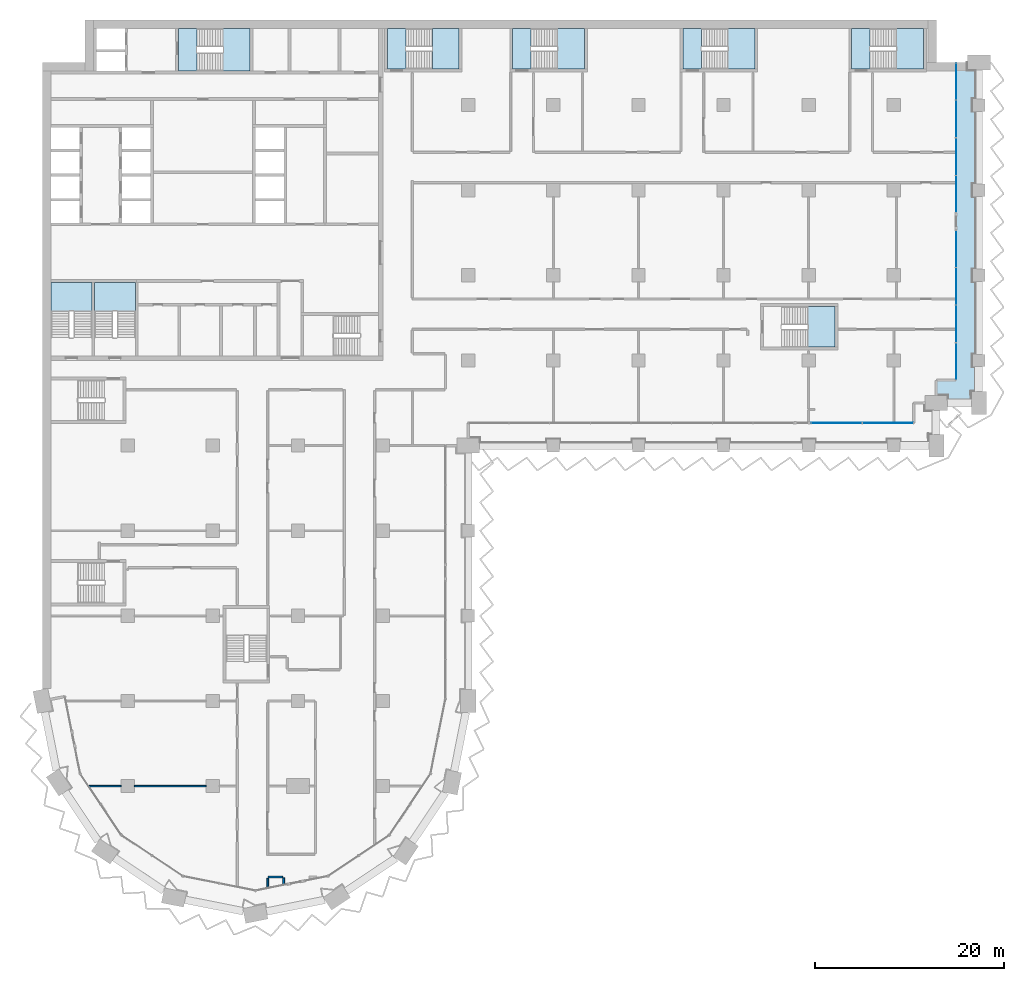
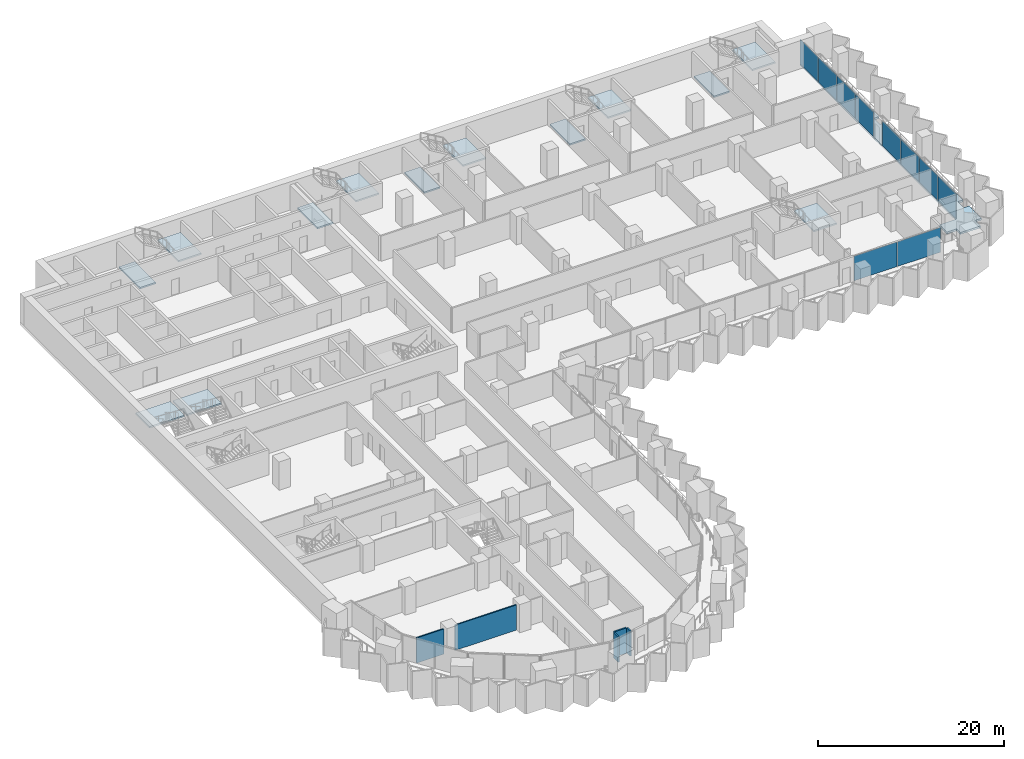
# One storey, part 9 of 28: 14 slabs, 10 plates, 5 walls, 11 elements without a shape of their own.
"""IFC4 building model written with IfcOpenShell, lengths in metres."""

from ifc_helpers import new_model, si_unit, direction, frame, frame_2d, origin, origin_2d, place, context, subcontext, project, spatial, polyline, rectangle, outline, extrude, material, layer, layer_set, type_object, element, aggregate, save


model = new_model("IFC4")

# Units and contexts
model_context = context("Model", 3, precision=1e-05, world=origin(), true_north=direction((0.0, 1.0)))
body_context = subcontext(model_context, "Body", "Model", "MODEL_VIEW")
ifc_project = project(units=[si_unit("LENGTHUNIT", "METRE"), si_unit("AREAUNIT", "SQUARE_METRE"), si_unit("VOLUMEUNIT", "CUBIC_METRE"), si_unit("PLANEANGLEUNIT", "RADIAN"), si_unit("MASSUNIT", "GRAM", prefix="KILO")], contexts=[model_context])

# Site, building, storey
site_placement = place(None, origin())
site = spatial("IfcSite", under=ifc_project, at=site_placement, CompositionType="ELEMENT")
building_placement = place(site_placement, origin())
building = spatial("IfcBuilding", under=site, at=building_placement, Name="Hunhe Ridgeline Campus", CompositionType="ELEMENT")
storey_placement = place(building_placement, frame((0.0, 0.0, 58.0)))
storey = spatial("IfcBuildingStorey", under=building, at=storey_placement, Name="L13", CompositionType="ELEMENT", Elevation=58.0)

# Curtain wall, plates
ifc_material_1 = material(Name="Aluminium 6063", Category="aluminium")
curtain_wall_type = type_object("IfcCurtainWallType", Name="Curtain wall CW-1", PredefinedType="NOTDEFINED", material=ifc_material_1)
curtain_wall_1_placement = place(storey_placement, origin())
curtain_wall_1 = element("IfcCurtainWall", 1, at=curtain_wall_1_placement, inside=storey, type_object=curtain_wall_type, Name="Curtain wall 14", PredefinedType="NOTDEFINED")
ifc_material_2 = material(Name="Low-e laminated glass", Category="glass")
ifc_layer_1 = layer(ifc_material_2, 0.028076171875)
ifc_layer_set_1 = layer_set([ifc_layer_1], Name="Curtain wall glass panel 28 low-e laminated")
plate_type = type_object("IfcPlateType", Name="Curtain wall glass panel 28 low-e laminated", PredefinedType="CURTAIN_PANEL", material=ifc_layer_set_1)
plate_1_placement = place(storey_placement, frame((83.957763671875, 56.40087890625, 0.0), z_axis=(0.0, 0.0, 1.0), x_axis=(0.999999999994, 3.58625e-06, 0.0)))
plate_1 = element("IfcPlate", 2, at=plate_1_placement, type_object=plate_type, Name="CW-1 panel 1", PredefinedType="CURTAIN_PANEL", context=body_context, shape_type="SweptSolid", body=[
    extrude(rectangle(XDim=5.347412109375, YDim=0.028076171875, at=origin_2d()), origin(), (0.0, 0.0, 1.0), 3.239990234375),
])
plate_2_placement = place(storey_placement, frame((89.365234375, 56.40087890625, 0.0), z_axis=(0.0, 0.0, 1.0), x_axis=(0.999999999994, 3.58625e-06, 0.0)))
plate_2 = element("IfcPlate", 3, at=plate_2_placement, type_object=plate_type, Name="CW-1 panel 2", PredefinedType="CURTAIN_PANEL", context=body_context, shape_type="SweptSolid", body=[
    extrude(rectangle(XDim=5.347412109375, YDim=0.028076171875, at=origin_2d()), origin(), (0.0, 0.0, 1.0), 3.239990234375),
])
aggregate(curtain_wall_1, [plate_1, plate_2])

curtain_wall_2_placement = place(storey_placement, origin())
curtain_wall_2 = element("IfcCurtainWall", 4, at=curtain_wall_2_placement, inside=storey, type_object=curtain_wall_type, Name="Curtain wall 15", PredefinedType="NOTDEFINED")
plate_3_placement = place(storey_placement, frame((96.59912109375, 62.9033203125, 0.0), z_axis=(0.0, 0.0, 1.0), x_axis=(0.0, 1.0, 0.0)))
plate_3 = element("IfcPlate", 5, at=plate_3_placement, type_object=plate_type, Name="CW-1 panel 1", PredefinedType="CURTAIN_PANEL", context=body_context, shape_type="SweptSolid", body=[
    extrude(rectangle(XDim=3.884765625, YDim=0.028076171875, at=origin_2d()), origin(), (0.0, 0.0, 1.0), 3.239990234375),
])
plate_4_placement = place(storey_placement, frame((96.59912109375, 66.86328125, 0.0), z_axis=(0.0, 0.0, 1.0), x_axis=(0.0, 1.0, 0.0)))
plate_4 = element("IfcPlate", 6, at=plate_4_placement, type_object=plate_type, Name="CW-1 panel 2", PredefinedType="CURTAIN_PANEL", context=body_context, shape_type="SweptSolid", body=[
    extrude(rectangle(XDim=3.914794921875, YDim=0.028076171875, at=origin_2d()), origin(), (0.0, 0.0, 1.0), 3.239990234375),
])
plate_5_placement = place(storey_placement, frame((96.59912109375, 70.838134765625, 0.0), z_axis=(0.0, 0.0, 1.0), x_axis=(0.0, 1.0, 0.0)))
plate_5 = element("IfcPlate", 7, at=plate_5_placement, type_object=plate_type, Name="CW-1 panel 3", PredefinedType="CURTAIN_PANEL", context=body_context, shape_type="SweptSolid", body=[
    extrude(rectangle(XDim=3.914794921875, YDim=0.028076171875, at=origin_2d()), origin(), (0.0, 0.0, 1.0), 3.239990234375),
])
plate_6_placement = place(storey_placement, frame((96.59912109375, 74.798095703125, 0.0), z_axis=(0.0, 0.0, 1.0), x_axis=(0.0, 1.0, 0.0)))
plate_6 = element("IfcPlate", 8, at=plate_6_placement, type_object=plate_type, Name="CW-1 panel 4", PredefinedType="CURTAIN_PANEL", context=body_context, shape_type="SweptSolid", body=[
    extrude(rectangle(XDim=3.884765625, YDim=0.028076171875, at=origin_2d()), origin(), (0.0, 0.0, 1.0), 3.239990234375),
])
aggregate(curtain_wall_2, [plate_3, plate_4, plate_5, plate_6])

curtain_wall_3_placement = place(storey_placement, origin())
curtain_wall_3 = element("IfcCurtainWall", 9, at=curtain_wall_3_placement, inside=storey, type_object=curtain_wall_type, Name="Curtain wall 16", PredefinedType="NOTDEFINED")
plate_7_placement = place(storey_placement, frame((96.59912109375, 80.60302734375, 0.0), z_axis=(0.0, 0.0, 1.0), x_axis=(0.0, 1.0, 0.0)))
plate_7 = element("IfcPlate", 10, at=plate_7_placement, type_object=plate_type, Name="CW-1 panel 1", PredefinedType="CURTAIN_PANEL", context=body_context, shape_type="SweptSolid", body=[
    extrude(rectangle(XDim=3.884765625, YDim=0.028076171875, at=origin_2d()), origin(), (0.0, 0.0, 1.0), 3.239990234375),
])
plate_8_placement = place(storey_placement, frame((96.59912109375, 84.562744140625, 0.0), z_axis=(0.0, 0.0, 1.0), x_axis=(0.0, 1.0, 0.0)))
plate_8 = element("IfcPlate", 11, at=plate_8_placement, type_object=plate_type, Name="CW-1 panel 2", PredefinedType="CURTAIN_PANEL", context=body_context, shape_type="SweptSolid", body=[
    extrude(rectangle(XDim=3.914794921875, YDim=0.028076171875, at=origin_2d()), origin(), (0.0, 0.0, 1.0), 3.239990234375),
])
plate_9_placement = place(storey_placement, frame((96.59912109375, 88.53759765625, 0.0), z_axis=(0.0, 0.0, 1.0), x_axis=(0.0, 1.0, 0.0)))
plate_9 = element("IfcPlate", 12, at=plate_9_placement, type_object=plate_type, Name="CW-1 panel 3", PredefinedType="CURTAIN_PANEL", context=body_context, shape_type="SweptSolid", body=[
    extrude(rectangle(XDim=3.914794921875, YDim=0.028076171875, at=origin_2d()), origin(), (0.0, 0.0, 1.0), 3.239990234375),
])
plate_10_placement = place(storey_placement, frame((96.59912109375, 92.49755859375, 0.0), z_axis=(0.0, 0.0, 1.0), x_axis=(0.0, 1.0, 0.0)))
plate_10 = element("IfcPlate", 13, at=plate_10_placement, type_object=plate_type, Name="CW-1 panel 4", PredefinedType="CURTAIN_PANEL", context=body_context, shape_type="SweptSolid", body=[
    extrude(rectangle(XDim=3.884765625, YDim=0.028076171875, at=origin_2d()), origin(), (0.0, 0.0, 1.0), 3.239990234375),
])
aggregate(curtain_wall_3, [plate_7, plate_8, plate_9, plate_10])

# Slab
ifc_material_3 = material(Name="Concrete C40", Category="concrete")
ifc_layer_2 = layer(ifc_material_3, 0.25)
ifc_layer_set_2 = layer_set([ifc_layer_2], Name="Loggia slab 250 Concrete C40")
slab_type_1 = type_object("IfcSlabType", Name="Loggia slab 250 Concrete C40", PredefinedType="FLOOR", material=ifc_layer_set_2)
slab_1_placement = place(storey_placement, frame((0.0, 0.0, -0.25)))
element("IfcSlab", 14, at=slab_1_placement, inside=storey, type_object=slab_type_1, Name="Loggia slab 3", PredefinedType="FLOOR", context=body_context, shape_type="SweptSolid", body=[
    extrude(outline(polyline([(94.5, 59.300048828125), (95.699951171875, 59.300048828125), (95.699951171875, 58.5), (98.199951171875, 58.5), (98.199951171875, 59.699951171875), (99.0, 59.699951171875), (99.0, 62.35009765625), (98.35009765625, 62.35009765625), (98.35009765625, 63.64990234375), (99.0, 63.64990234375), (99.0, 71.35009765625), (98.35009765625, 71.35009765625), (98.35009765625, 72.64990234375), (99.0, 72.64990234375), (99.0, 80.35009765625), (98.35009765625, 80.35009765625), (98.35009765625, 81.64990234375), (99.0, 81.64990234375), (99.0, 89.35009765625), (98.35009765625, 89.35009765625), (98.35009765625, 90.64990234375), (99.0, 90.64990234375), (99.0, 93.699951171875), (97.800048828125, 93.699951171875), (97.800048828125, 94.5), (96.60009765625, 94.5), (96.60009765625, 60.89990234375), (94.5, 60.89990234375), (94.5, 59.300048828125)])), origin(), (0.0, 0.0, 1.0), 0.25),
])

# Stair, slab
stair_type = type_object("IfcStairType", Name="Reinforced concrete dog-leg stair 1950 Concrete C40", PredefinedType="HALF_TURN_STAIR", material=ifc_material_3)
stair_1_placement = place(storey_placement, origin())
stair_1 = element("IfcStair", 15, at=stair_1_placement, inside=storey, type_object=stair_type, Name="L13 S1", PredefinedType="HALF_TURN_STAIR")
ifc_layer_3 = layer(ifc_material_3, 0.199951171875)
ifc_layer_set_3 = layer_set([ifc_layer_3], Name="Reinforced concrete stair landing 200 Concrete C40")
slab_type_2 = type_object("IfcSlabType", Name="Reinforced concrete stair landing 200 Concrete C40", PredefinedType="LANDING", material=ifc_layer_set_3)
slab_2_placement = place(storey_placement, frame((0.0, 0.0, 1.64990234375)))
slab_2 = element("IfcSlab", 16, at=slab_2_placement, type_object=slab_type_2, Name="ST1 landing 1", PredefinedType="LANDING", context=body_context, shape_type="SweptSolid", body=[
    extrude(outline(polyline([(19.10009765625, 93.60009765625), (21.949951171875, 93.60009765625), (21.949951171875, 98.10009765625), (19.10009765625, 98.10009765625), (19.10009765625, 93.60009765625)])), origin(), (0.0, 0.0, 1.0), 0.2001953125),
])
aggregate(stair_1, [slab_2])

# Slab
slab_3_placement = place(storey_placement, frame((0.0, 0.0, -0.199951171875)))
element("IfcSlab", 17, at=slab_3_placement, inside=storey, type_object=slab_type_2, Name="L13 stair S1 floor landing", PredefinedType="LANDING", context=body_context, shape_type="SweptSolid", body=[
    extrude(outline(polyline([(14.35009765625, 93.60009765625), (16.300048828125, 93.60009765625), (16.300048828125, 98.10009765625), (14.35009765625, 98.10009765625), (14.35009765625, 93.60009765625)])), origin(), (0.0, 0.0, 1.0), 0.199951171875),
])

# Stair, slab
stair_2_placement = place(storey_placement, origin())
stair_2 = element("IfcStair", 18, at=stair_2_placement, inside=storey, type_object=stair_type, Name="L13 S3", PredefinedType="HALF_TURN_STAIR")
slab_4_placement = place(storey_placement, frame((0.0, 0.0, 1.64990234375)))
slab_4 = element("IfcSlab", 19, at=slab_4_placement, type_object=slab_type_2, Name="ST3 landing 1", PredefinedType="LANDING", context=body_context, shape_type="SweptSolid", body=[
    extrude(outline(polyline([(5.199951171875, 68.25), (5.199951171875, 71.25), (0.89990234375, 71.25), (0.89990234375, 68.25), (5.199951171875, 68.25)])), origin(), (0.0, 0.0, 1.0), 0.2001953125),
])
aggregate(stair_2, [slab_4])

stair_3_placement = place(storey_placement, origin())
stair_3 = element("IfcStair", 20, at=stair_3_placement, inside=storey, type_object=stair_type, Name="L13 S4", PredefinedType="HALF_TURN_STAIR")
slab_5_placement = place(storey_placement, frame((0.0, 0.0, 1.64990234375)))
slab_5 = element("IfcSlab", 21, at=slab_5_placement, type_object=slab_type_2, Name="ST4 landing 1", PredefinedType="LANDING", context=body_context, shape_type="SweptSolid", body=[
    extrude(outline(polyline([(9.800048828125, 68.25), (9.800048828125, 71.25), (5.5, 71.25), (5.5, 68.25), (9.800048828125, 68.25)])), origin(), (0.0, 0.0, 1.0), 0.2001953125),
])
aggregate(stair_3, [slab_5])

stair_4_placement = place(storey_placement, origin())
stair_4 = element("IfcStair", 22, at=stair_4_placement, inside=storey, type_object=stair_type, Name="L13 E1", PredefinedType="HALF_TURN_STAIR")
slab_6_placement = place(storey_placement, frame((0.0, 0.0, 1.64990234375)))
slab_6 = element("IfcSlab", 23, at=slab_6_placement, type_object=slab_type_2, Name="ST5 landing 1", PredefinedType="LANDING", context=body_context, shape_type="SweptSolid", body=[
    extrude(outline(polyline([(41.199951171875, 93.800048828125), (44.050048828125, 93.800048828125), (44.050048828125, 98.10009765625), (41.199951171875, 98.10009765625), (41.199951171875, 93.800048828125)])), origin(), (0.0, 0.0, 1.0), 0.2001953125),
])
aggregate(stair_4, [slab_6])

# Slab
slab_7_placement = place(storey_placement, frame((0.0, 0.0, -0.199951171875)))
element("IfcSlab", 24, at=slab_7_placement, inside=storey, type_object=slab_type_2, Name="L13 stair E1 floor landing", PredefinedType="LANDING", context=body_context, shape_type="SweptSolid", body=[
    extrude(outline(polyline([(36.449951171875, 93.800048828125), (38.39990234375, 93.800048828125), (38.39990234375, 98.10009765625), (36.449951171875, 98.10009765625), (36.449951171875, 93.800048828125)])), origin(), (0.0, 0.0, 1.0), 0.199951171875),
])

# Stair, slab
stair_5_placement = place(storey_placement, origin())
stair_5 = element("IfcStair", 25, at=stair_5_placement, inside=storey, type_object=stair_type, Name="L13 E2", PredefinedType="HALF_TURN_STAIR")
slab_8_placement = place(storey_placement, frame((0.0, 0.0, 1.64990234375)))
slab_8 = element("IfcSlab", 26, at=slab_8_placement, type_object=slab_type_2, Name="ST6 landing 1", PredefinedType="LANDING", context=body_context, shape_type="SweptSolid", body=[
    extrude(outline(polyline([(54.449951171875, 93.800048828125), (57.300048828125, 93.800048828125), (57.300048828125, 98.10009765625), (54.449951171875, 98.10009765625), (54.449951171875, 93.800048828125)])), origin(), (0.0, 0.0, 1.0), 0.2001953125),
])
aggregate(stair_5, [slab_8])

# Slab
slab_9_placement = place(storey_placement, frame((0.0, 0.0, -0.199951171875)))
element("IfcSlab", 27, at=slab_9_placement, inside=storey, type_object=slab_type_2, Name="L13 stair E2 floor landing", PredefinedType="LANDING", context=body_context, shape_type="SweptSolid", body=[
    extrude(outline(polyline([(49.699951171875, 93.800048828125), (51.64990234375, 93.800048828125), (51.64990234375, 98.10009765625), (49.699951171875, 98.10009765625), (49.699951171875, 93.800048828125)])), origin(), (0.0, 0.0, 1.0), 0.199951171875),
])

# Stair, slab
stair_6_placement = place(storey_placement, origin())
stair_6 = element("IfcStair", 28, at=stair_6_placement, inside=storey, type_object=stair_type, Name="L13 E3", PredefinedType="HALF_TURN_STAIR")
slab_10_placement = place(storey_placement, frame((0.0, 0.0, 1.64990234375)))
slab_10 = element("IfcSlab", 29, at=slab_10_placement, type_object=slab_type_2, Name="ST7 landing 1", PredefinedType="LANDING", context=body_context, shape_type="SweptSolid", body=[
    extrude(outline(polyline([(72.449951171875, 93.800048828125), (75.300048828125, 93.800048828125), (75.300048828125, 98.10009765625), (72.449951171875, 98.10009765625), (72.449951171875, 93.800048828125)])), origin(), (0.0, 0.0, 1.0), 0.2001953125),
])
aggregate(stair_6, [slab_10])

# Slab
slab_11_placement = place(storey_placement, frame((0.0, 0.0, -0.199951171875)))
element("IfcSlab", 30, at=slab_11_placement, inside=storey, type_object=slab_type_2, Name="L13 stair E3 floor landing", PredefinedType="LANDING", context=body_context, shape_type="SweptSolid", body=[
    extrude(outline(polyline([(67.699951171875, 93.800048828125), (69.64990234375, 93.800048828125), (69.64990234375, 98.10009765625), (67.699951171875, 98.10009765625), (67.699951171875, 93.800048828125)])), origin(), (0.0, 0.0, 1.0), 0.199951171875),
])

# Stair, slab
stair_7_placement = place(storey_placement, origin())
stair_7 = element("IfcStair", 31, at=stair_7_placement, inside=storey, type_object=stair_type, Name="L13 E4", PredefinedType="HALF_TURN_STAIR")
slab_12_placement = place(storey_placement, frame((0.0, 0.0, 1.64990234375)))
slab_12 = element("IfcSlab", 32, at=slab_12_placement, type_object=slab_type_2, Name="ST8 landing 1", PredefinedType="LANDING", context=body_context, shape_type="SweptSolid", body=[
    extrude(outline(polyline([(90.300048828125, 93.800048828125), (93.14990234375, 93.800048828125), (93.14990234375, 98.10009765625), (90.300048828125, 98.10009765625), (90.300048828125, 93.800048828125)])), origin(), (0.0, 0.0, 1.0), 0.2001953125),
])
aggregate(stair_7, [slab_12])

# Slab
slab_13_placement = place(storey_placement, frame((0.0, 0.0, -0.199951171875)))
element("IfcSlab", 33, at=slab_13_placement, inside=storey, type_object=slab_type_2, Name="L13 stair E4 floor landing", PredefinedType="LANDING", context=body_context, shape_type="SweptSolid", body=[
    extrude(outline(polyline([(85.550048828125, 93.800048828125), (87.5, 93.800048828125), (87.5, 98.10009765625), (85.550048828125, 98.10009765625), (85.550048828125, 93.800048828125)])), origin(), (0.0, 0.0, 1.0), 0.199951171875),
])

# Stair, slab
stair_8_placement = place(storey_placement, origin())
stair_8 = element("IfcStair", 34, at=stair_8_placement, inside=storey, type_object=stair_type, Name="L13 E5", PredefinedType="HALF_TURN_STAIR")
slab_14_placement = place(storey_placement, frame((0.0, 0.0, 1.64990234375)))
slab_14 = element("IfcSlab", 35, at=slab_14_placement, type_object=slab_type_2, Name="ST10 landing 1", PredefinedType="LANDING", context=body_context, shape_type="SweptSolid", body=[
    extrude(outline(polyline([(80.949951171875, 64.39990234375), (83.800048828125, 64.39990234375), (83.800048828125, 68.699951171875), (80.949951171875, 68.699951171875), (80.949951171875, 64.39990234375)])), origin(), (0.0, 0.0, 1.0), 0.2001953125),
])
aggregate(stair_8, [slab_14])

# Walls
ifc_material_4 = material(Name="Gypsum board partition")
ifc_layer_4 = layer(ifc_material_4, 0.199951171875)
ifc_layer_set_4 = layer_set([ifc_layer_4], Name="Corridor partition 200 gypsum board on steel studs")
wall_type_1 = type_object("IfcWallType", Name="Corridor partition 200 gypsum board on steel studs", PredefinedType="PARTITIONING", material=ifc_layer_set_4)
wall_1_placement = place(storey_placement, frame((25.3779296875, 8.389892578125, 0.0), z_axis=(0.0, 0.0, 1.0), x_axis=(-1.0, 0.0, 0.0)))
element("IfcWall", 36, at=wall_1_placement, inside=storey, type_object=wall_type_1, Name="F-L13-wall-001", PredefinedType="PARTITIONING", context=body_context, shape_type="SweptSolid", body=[
    extrude(rectangle(XDim=1.52783203125, YDim=0.199951171875, at=frame_2d((0.763916015625, 0.0))), origin(), (0.0, 0.0, 1.0), 3.300048828125),
])
wall_2_placement = place(storey_placement, frame((23.800048828125, 8.240478515625, 0.0), z_axis=(0.0, 0.0, 1.0), x_axis=(0.0, -1.0, 0.0)))
element("IfcWall", 37, at=wall_2_placement, inside=storey, type_object=wall_type_1, Name="F-L13-wall-052", PredefinedType="PARTITIONING", context=body_context, shape_type="SweptSolid", body=[
    extrude(rectangle(XDim=0.978759765625, YDim=0.199951171875, at=frame_2d((0.4892578125, 0.0))), origin(), (0.0, 0.0, 1.0), 3.300048828125),
])
wall_3_placement = place(storey_placement, frame((25.47802734375, 7.595458984375, 0.0), z_axis=(0.0, 0.0, 1.0), x_axis=(0.0, 1.0, 0.0)))
element("IfcWall", 38, at=wall_3_placement, inside=storey, type_object=wall_type_1, Name="F-L13-wall-055", PredefinedType="PARTITIONING", context=body_context, shape_type="SweptSolid", body=[
    extrude(rectangle(XDim=0.694580078125, YDim=0.199951171875, at=frame_2d((0.34716796875, 0.0))), origin(), (0.0, 0.0, 1.0), 3.300048828125),
])
ifc_layer_5 = layer(ifc_material_4, 0.14990234375)
ifc_layer_set_5 = layer_set([ifc_layer_5], Name="Room partition 150 gypsum board on steel studs")
wall_type_2 = type_object("IfcWallType", Name="Room partition 150 gypsum board on steel studs", PredefinedType="PARTITIONING", material=ifc_layer_set_5)
wall_4_placement = place(storey_placement, frame((4.925537109375, 18.0, 0.0), z_axis=(0.0, 0.0, 1.0), x_axis=(1.0, 0.0, 0.0)))
element("IfcWall", 39, at=wall_4_placement, inside=storey, type_object=wall_type_2, Name="F-L13-wall-004", PredefinedType="PARTITIONING", context=body_context, shape_type="SweptSolid", body=[
    extrude(rectangle(XDim=3.37451171875, YDim=0.14990234375, at=frame_2d((1.687255859375, 0.0))), origin(), (0.0, 0.0, 1.0), 3.300048828125),
])
wall_5_placement = place(storey_placement, frame((9.699951171875, 18.0, 0.0), z_axis=(0.0, 0.0, 1.0), x_axis=(1.0, 0.0, 0.0)))
element("IfcWall", 40, at=wall_5_placement, inside=storey, type_object=wall_type_2, Name="F-L13-wall-005", PredefinedType="PARTITIONING", context=body_context, shape_type="SweptSolid", body=[
    extrude(rectangle(XDim=7.60009765625, YDim=0.14990234375, at=frame_2d((3.800048828125, 0.0))), origin(), (0.0, 0.0, 1.0), 3.300048828125),
])

save(model, "model.ifc")
